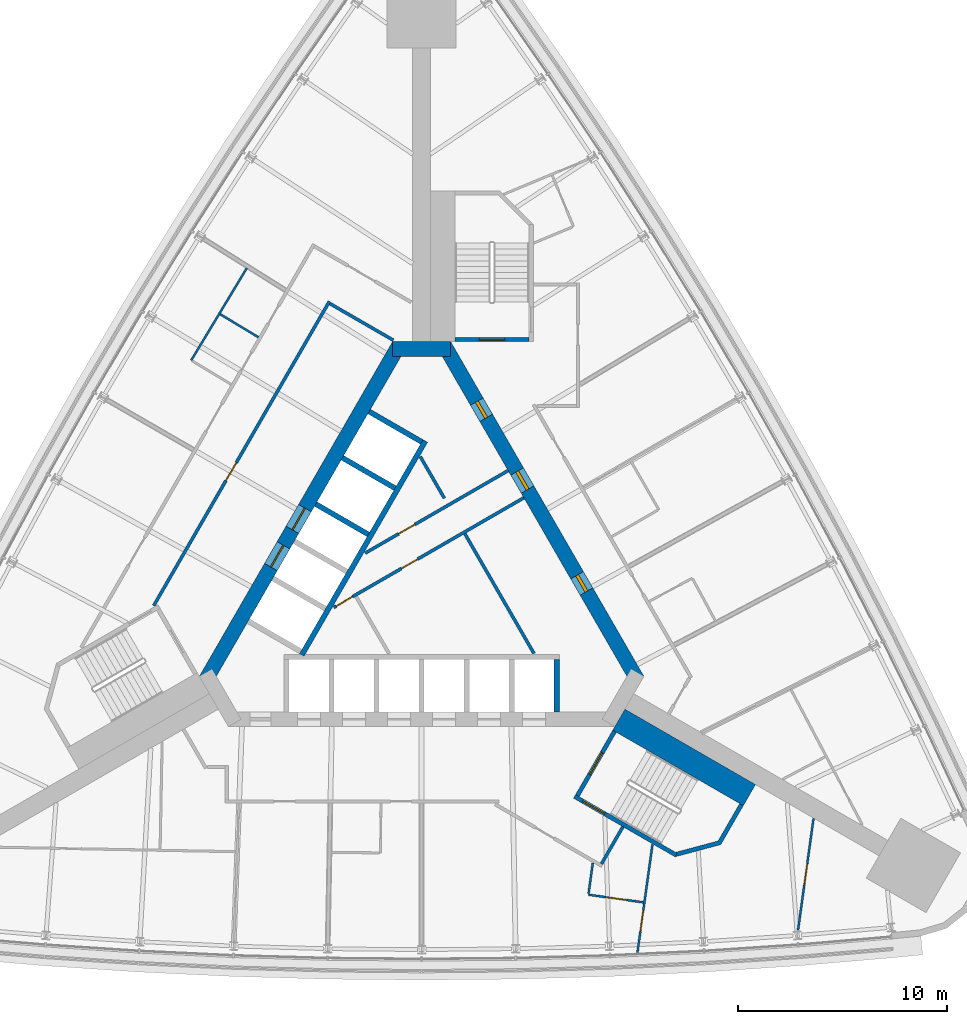
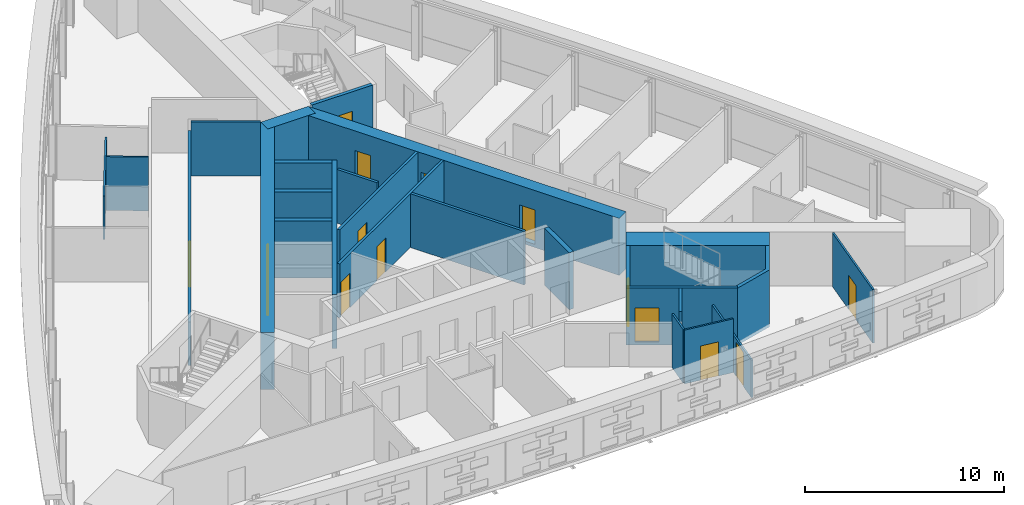
# One storey, part 11 of 15: 26 walls, 15 doors, 15 openings.
"""IFC4 building model written with IfcOpenShell, lengths in metres."""

from ifc_helpers import new_model, si_unit, direction, frame, frame_2d, origin, place, context, subcontext, project, spatial, polyline, rectangle, outline, extrude, material, layer, layer_set, type_object, element, fill, save


model = new_model("IFC4")

# Units and contexts
model_context = context("Model", 3, precision=1e-05, world=origin(), true_north=direction((0.0, 1.0)))
body_context = subcontext(model_context, "Body", "Model", "MODEL_VIEW")
ifc_project = project(units=[si_unit("LENGTHUNIT", "METRE"), si_unit("AREAUNIT", "SQUARE_METRE"), si_unit("VOLUMEUNIT", "CUBIC_METRE"), si_unit("PLANEANGLEUNIT", "RADIAN"), si_unit("MASSUNIT", "GRAM", prefix="KILO")], contexts=[model_context])

# Site, building, storey
site_placement = place(None, origin())
site = spatial("IfcSite", under=ifc_project, at=site_placement, CompositionType="ELEMENT")
building_placement = place(site_placement, origin())
building = spatial("IfcBuilding", under=site, at=building_placement, Name="Noor Cloister Tower", CompositionType="ELEMENT")
storey_placement = place(building_placement, frame((0.0, 0.0, 49.199951171875)))
storey = spatial("IfcBuildingStorey", under=building, at=storey_placement, Name="L12", CompositionType="ELEMENT", Elevation=49.199951171875)

# Wall, openings, doors
ifc_material_1 = material(Name="Concrete C30/37", Category="concrete")
ifc_layer_1 = layer(ifc_material_1, 0.14990234375)
ifc_layer_set_1 = layer_set([ifc_layer_1], Name="Core partition 150 C30/37")
wall_type_1 = type_object("IfcWallType", Name="Core partition 150 C30/37", PredefinedType="PARTITIONING", material=ifc_layer_set_1)
wall_1_placement = place(storey_placement, frame((-4.19775390625, -1.244384765625, 0.0), z_axis=(0.0, 0.0, 1.0), x_axis=(0.866020798945, 0.500007975732, 0.0)))
wall_1 = element("IfcWall", 1, at=wall_1_placement, inside=storey, type_object=wall_type_1, Name="Core room partition L12 1", PredefinedType="PARTITIONING", context=body_context, shape_type="SweptSolid", body=[
    extrude(rectangle(XDim=10.485595703125, YDim=0.14990234375, at=frame_2d((5.24267578125, 0.0))), origin(), (0.0, 0.0, 1.0), 3.300048828125),
])
opening_1_placement = place(wall_1_placement, frame((3.735595703125, 0.0, 0.0)))
opening_1 = element("IfcOpeningElement", 2, at=opening_1_placement, cuts=wall_1, Name="Opening L12-904", PredefinedType="OPENING", context=body_context, shape_type="SweptSolid", body=[
    extrude(rectangle(XDim=0.89990234375, YDim=2.10009765625, at=frame_2d((0.449951171875, 1.050048828125))), frame((0.0, 0.0849609375, 0.0), z_axis=(0.0, -1.0, 0.0), x_axis=(1.0, 0.0, 0.0)), (0.0, 0.0, 1.0), 0.169921875),
])
opening_2_placement = place(wall_1_placement, frame((0.143798828125, 0.0, 0.0)))
opening_2 = element("IfcOpeningElement", 3, at=opening_2_placement, cuts=wall_1, Name="Opening L12-906", PredefinedType="OPENING", context=body_context, shape_type="SweptSolid", body=[
    extrude(rectangle(XDim=0.89990234375, YDim=2.10009765625, at=frame_2d((0.449951171875, 1.050048828125))), frame((0.0, 0.0849609375, 0.0), z_axis=(0.0, -1.0, 0.0), x_axis=(1.0, 0.0, 0.0)), (0.0, 0.0, 1.0), 0.169921875),
])
ifc_material_2 = material(Name="Steel", Category="steel")
door_type_1 = type_object("IfcDoorType", Name="Core door 900 x 2100 FD120", OperationType="SINGLE_SWING_LEFT", PredefinedType="DOOR", material=ifc_material_2)
door_1_placement = place(opening_2_placement, origin())
door_1 = element("IfcDoor", 4, at=door_1_placement, inside=storey, type_object=door_type_1, Name="Core door 6 L12", OperationType="SINGLE_SWING_RIGHT", OverallHeight=2.10009765625, OverallWidth=0.89990234375, PredefinedType="DOOR", context=body_context, shape_type="SweptSolid", body=[
    extrude(rectangle(XDim=0.89990234375, YDim=2.10009765625, at=frame_2d((0.449951171875, 1.050048828125))), frame((0.0, 0.02490234375, 0.0), z_axis=(0.0, -1.0, 0.0), x_axis=(1.0, 0.0, 0.0)), (0.0, 0.0, 1.0), 0.050048828125),
])
fill(opening_2, door_1)
ifc_material_3 = material(Name="Steel", Category="steel")
door_type_2 = type_object("IfcDoorType", Name="Core door 900 x 2100 FD60", OperationType="SINGLE_SWING_LEFT", PredefinedType="DOOR", material=ifc_material_3)
door_2_placement = place(opening_1_placement, origin())
door_2 = element("IfcDoor", 5, at=door_2_placement, inside=storey, type_object=door_type_2, Name="Core door 4 L12", OperationType="SINGLE_SWING_RIGHT", OverallHeight=2.10009765625, OverallWidth=0.89990234375, PredefinedType="DOOR", context=body_context, shape_type="SweptSolid", body=[
    extrude(rectangle(XDim=0.89990234375, YDim=2.10009765625, at=frame_2d((0.449951171875, 1.050048828125))), frame((0.0, 0.02490234375, 0.0), z_axis=(0.0, -1.0, 0.0), x_axis=(1.0, 0.0, 0.0)), (0.0, 0.0, 1.0), 0.050048828125),
])
fill(opening_1, door_2)

# Wall
wall_2_placement = place(storey_placement, frame((5.36669921875, -3.439208984375, 0.0), z_axis=(0.0, 0.0, 1.0), x_axis=(-0.499981499682, 0.866036084685, 0.0)))
element("IfcWall", 6, at=wall_2_placement, inside=storey, type_object=wall_type_1, Name="Core room partition L12 2", PredefinedType="PARTITIONING", context=body_context, shape_type="SweptSolid", body=[
    extrude(rectangle(XDim=6.608154296875, YDim=0.14990234375, at=frame_2d((3.30419921875, 0.0))), origin(), (0.0, 0.0, 1.0), 3.300048828125),
])

# Wall, opening, door
wall_3_placement = place(storey_placement, frame((-2.69775390625, 1.353759765625, 0.0), z_axis=(0.0, 0.0, 1.0), x_axis=(0.866021157486, 0.500007354732, 0.0)))
wall_3 = element("IfcWall", 7, at=wall_3_placement, inside=storey, type_object=wall_type_1, Name="Core room partition L12 4", PredefinedType="PARTITIONING", context=body_context, shape_type="SweptSolid", body=[
    extrude(rectangle(XDim=7.8876953125, YDim=0.14990234375, at=frame_2d((3.94384765625, 0.0))), origin(), (0.0, 0.0, 1.0), 3.300048828125),
])
opening_3_placement = place(wall_3_placement, frame((1.8447265625, 0.0, 0.0)))
opening_3 = element("IfcOpeningElement", 8, at=opening_3_placement, cuts=wall_3, Name="Opening L12-905", PredefinedType="OPENING", context=body_context, shape_type="SweptSolid", body=[
    extrude(rectangle(XDim=0.89990234375, YDim=2.10009765625, at=frame_2d((0.449951171875, 1.050048828125))), frame((0.0, 0.0849609375, 0.0), z_axis=(0.0, -1.0, 0.0), x_axis=(1.0, 0.0, 0.0)), (0.0, 0.0, 1.0), 0.169921875),
])
door_3_placement = place(opening_3_placement, origin())
door_3 = element("IfcDoor", 9, at=door_3_placement, inside=storey, type_object=door_type_1, Name="Core door 5 L12", OperationType="SINGLE_SWING_LEFT", OverallHeight=2.10009765625, OverallWidth=0.89990234375, PredefinedType="DOOR", context=body_context, shape_type="SweptSolid", body=[
    extrude(rectangle(XDim=0.89990234375, YDim=2.10009765625, at=frame_2d((0.449951171875, 1.050048828125))), frame((0.0, 0.02490234375, 0.0), z_axis=(0.0, -1.0, 0.0), x_axis=(1.0, 0.0, 0.0)), (0.0, 0.0, 1.0), 0.050048828125),
])
fill(opening_3, door_3)

# Wall
wall_4_placement = place(storey_placement, frame((1.087890625, 3.972412109375, 0.0), z_axis=(0.0, 0.0, 1.0), x_axis=(-0.500116913307, 0.865957893332, 0.0)))
element("IfcWall", 10, at=wall_4_placement, inside=storey, type_object=wall_type_1, Name="Core room partition L12 5", PredefinedType="PARTITIONING", context=body_context, shape_type="SweptSolid", body=[
    extrude(rectangle(XDim=2.3037109375, YDim=0.14990234375, at=frame_2d((1.15185546875, 0.0))), origin(), (0.0, 0.0, 1.0), 3.300048828125),
])

# Wall, openings, doors
ifc_material_4 = material(Name="Concrete C80/95", Category="concrete")
ifc_layer_2 = layer(ifc_material_4, 0.699951171875)
ifc_layer_set_2 = layer_set([ifc_layer_2], Name="Core wall 700 C80/95")
wall_type_2 = type_object("IfcWallType", Name="Core wall 700 C80/95", PredefinedType="SHEAR", material=ifc_layer_set_2)
wall_5_placement = place(storey_placement, frame((10.311279296875, -4.703125, -0.199951171875), z_axis=(0.0, 0.0, 1.0), x_axis=(-0.500001446645, 0.866024568562, 0.0)))
wall_5 = element("IfcWall", 11, at=wall_5_placement, inside=storey, type_object=wall_type_2, Name="Core wall L12 3", PredefinedType="SHEAR", context=body_context, shape_type="SweptSolid", body=[
    extrude(rectangle(XDim=18.45751953125, YDim=0.699951171875, at=frame_2d((9.228759765625, 0.0))), origin(), (0.0, 0.0, 1.0), 3.5),
])
opening_4_placement = place(wall_5_placement, frame((10.5, 0.0, 0.199951171875)))
opening_4 = element("IfcOpeningElement", 12, at=opening_4_placement, cuts=wall_5, Name="Opening L12-901", PredefinedType="OPENING", context=body_context, shape_type="SweptSolid", body=[
    extrude(rectangle(XDim=1.0, YDim=2.10009765625, at=frame_2d((0.5, 1.050048828125))), frame((0.0, 0.35986328125, 0.0), z_axis=(0.0, -1.0, 0.0), x_axis=(1.0, 0.0, 0.0)), (0.0, 0.0, 1.0), 0.719970703125),
])
opening_5_placement = place(wall_5_placement, frame((4.876953125, 0.0, 0.199951171875)))
opening_5 = element("IfcOpeningElement", 13, at=opening_5_placement, cuts=wall_5, Name="Opening L12-902", PredefinedType="OPENING", context=body_context, shape_type="SweptSolid", body=[
    extrude(rectangle(XDim=0.89990234375, YDim=2.10009765625, at=frame_2d((0.449951171875, 1.050048828125))), frame((0.0, 0.35986328125, 0.0), z_axis=(0.0, -1.0, 0.0), x_axis=(1.0, 0.0, 0.0)), (0.0, 0.0, 1.0), 0.719970703125),
])
opening_6_placement = place(wall_5_placement, frame((14.45166015625, 0.0, 0.199951171875)))
opening_6 = element("IfcOpeningElement", 14, at=opening_6_placement, cuts=wall_5, Name="Opening L12-903", PredefinedType="OPENING", context=body_context, shape_type="SweptSolid", body=[
    extrude(rectangle(XDim=0.89990234375, YDim=2.10009765625, at=frame_2d((0.449951171875, 1.050048828125))), frame((0.0, 0.35986328125, 0.0), z_axis=(0.0, -1.0, 0.0), x_axis=(1.0, 0.0, 0.0)), (0.0, 0.0, 1.0), 0.719970703125),
])
ifc_material_5 = material(Name="Steel", Category="steel")
door_type_3 = type_object("IfcDoorType", Name="Core door 1000 x 2100 FD120", OperationType="SINGLE_SWING_LEFT", PredefinedType="DOOR", material=ifc_material_5)
door_4_placement = place(opening_4_placement, origin())
door_4 = element("IfcDoor", 15, at=door_4_placement, inside=storey, type_object=door_type_3, Name="Core door 1 L12", OperationType="SINGLE_SWING_LEFT", OverallHeight=2.10009765625, OverallWidth=1.0, PredefinedType="DOOR", context=body_context, shape_type="SweptSolid", body=[
    extrude(rectangle(XDim=1.0, YDim=2.10009765625, at=frame_2d((0.5, 1.050048828125))), frame((0.0, 0.074951171875, 0.0), z_axis=(0.0, -1.0, 0.0), x_axis=(1.0, 0.0, 0.0)), (0.0, 0.0, 1.0), 0.14990234375),
])
fill(opening_4, door_4)
door_5_placement = place(opening_5_placement, origin())
door_5 = element("IfcDoor", 16, at=door_5_placement, inside=storey, type_object=door_type_1, Name="Core door 2 L12", OperationType="SINGLE_SWING_RIGHT", OverallHeight=2.10009765625, OverallWidth=0.89990234375, PredefinedType="DOOR", context=body_context, shape_type="SweptSolid", body=[
    extrude(rectangle(XDim=0.89990234375, YDim=2.10009765625, at=frame_2d((0.449951171875, 1.050048828125))), frame((0.0, 0.074951171875, 0.0), z_axis=(0.0, -1.0, 0.0), x_axis=(1.0, 0.0, 0.0)), (0.0, 0.0, 1.0), 0.14990234375),
])
fill(opening_5, door_5)
door_6_placement = place(opening_6_placement, origin())
door_6 = element("IfcDoor", 17, at=door_6_placement, inside=storey, type_object=door_type_1, Name="Core door 3 L12", OperationType="SINGLE_SWING_LEFT", OverallHeight=2.10009765625, OverallWidth=0.89990234375, PredefinedType="DOOR", context=body_context, shape_type="SweptSolid", body=[
    extrude(rectangle(XDim=0.89990234375, YDim=2.10009765625, at=frame_2d((0.449951171875, 1.050048828125))), frame((0.0, 0.074951171875, 0.0), z_axis=(0.0, -1.0, 0.0), x_axis=(1.0, 0.0, 0.0)), (0.0, 0.0, 1.0), 0.14990234375),
])
fill(opening_6, door_6)

# Wall
wall_6_placement = place(storey_placement, frame((1.3857421875, 11.1064453125, -0.199951171875), z_axis=(0.0, 0.0, 1.0), x_axis=(-1.0, 0.0, 0.0)))
element("IfcWall", 18, at=wall_6_placement, inside=storey, type_object=wall_type_2, Name="Core wall L12 4", PredefinedType="SHEAR", context=body_context, shape_type="SweptSolid", body=[
    extrude(rectangle(XDim=2.771484375, YDim=0.699951171875, at=frame_2d((1.3857421875, 0.0))), origin(), (0.0, 0.0, 1.0), 3.5),
])

# Wall, openings, doors
wall_7_placement = place(storey_placement, frame((-1.08251953125, 11.281494140625, -0.199951171875), z_axis=(0.0, 0.0, 1.0), x_axis=(-0.500001446645, -0.866024568562, 0.0)))
wall_7 = element("IfcWall", 19, at=wall_7_placement, inside=storey, type_object=wall_type_2, Name="Core wall L12 5", PredefinedType="SHEAR", context=body_context, shape_type="SweptSolid", body=[
    extrude(rectangle(XDim=18.45751953125, YDim=0.699951171875, at=frame_2d((9.228759765625, 0.0))), origin(), (0.0, 0.0, 1.0), 3.5),
])
opening_7_placement = place(wall_7_placement, frame((8.978759765625, 0.0, 0.199951171875)))
opening_7 = element("IfcOpeningElement", 20, at=opening_7_placement, cuts=wall_7, Name="Opening L12-FF1", PredefinedType="OPENING", context=body_context, shape_type="SweptSolid", body=[
    extrude(rectangle(XDim=1.199951171875, YDim=2.10009765625, at=frame_2d((0.60009765625, 1.050048828125))), frame((0.0, 0.35986328125, 0.0), z_axis=(0.0, -1.0, 0.0), x_axis=(1.0, 0.0, 0.0)), (0.0, 0.0, 1.0), 0.719970703125),
])
opening_8_placement = place(wall_7_placement, frame((11.02880859375, 0.0, 0.199951171875)))
opening_8 = element("IfcOpeningElement", 21, at=opening_8_placement, cuts=wall_7, Name="Opening L12-FF2", PredefinedType="OPENING", context=body_context, shape_type="SweptSolid", body=[
    extrude(rectangle(XDim=1.199951171875, YDim=2.10009765625, at=frame_2d((0.60009765625, 1.050048828125))), frame((0.0, 0.35986328125, 0.0), z_axis=(0.0, -1.0, 0.0), x_axis=(1.0, 0.0, 0.0)), (0.0, 0.0, 1.0), 0.719970703125),
])
ifc_material_6 = material(Name="Stainless steel", Category="steel")
door_type_4 = type_object("IfcDoorType", Name="Lift landing door 1200 x 2100", OperationType="DOUBLE_DOOR_SLIDING", PredefinedType="DOOR", material=ifc_material_6)
door_7_placement = place(opening_7_placement, origin())
door_7 = element("IfcDoor", 22, at=door_7_placement, inside=storey, type_object=door_type_4, Name="Landing door FF1 L12", OperationType="DOUBLE_DOOR_SLIDING", OverallHeight=2.10009765625, OverallWidth=1.199951171875, PredefinedType="DOOR", context=body_context, shape_type="SweptSolid", body=[
    extrude(rectangle(XDim=1.199951171875, YDim=2.10009765625, at=frame_2d((0.60009765625, 1.050048828125))), frame((0.0, 0.02490234375, 0.0), z_axis=(0.0, -1.0, 0.0), x_axis=(1.0, 0.0, 0.0)), (0.0, 0.0, 1.0), 0.050048828125),
])
fill(opening_7, door_7)
door_8_placement = place(opening_8_placement, origin())
door_8 = element("IfcDoor", 23, at=door_8_placement, inside=storey, type_object=door_type_4, Name="Landing door FF2 L12", OperationType="DOUBLE_DOOR_SLIDING", OverallHeight=2.10009765625, OverallWidth=1.199951171875, PredefinedType="DOOR", context=body_context, shape_type="SweptSolid", body=[
    extrude(rectangle(XDim=1.199951171875, YDim=2.10009765625, at=frame_2d((0.60009765625, 1.050048828125))), frame((0.0, 0.02490234375, 0.0), z_axis=(0.0, -1.0, 0.0), x_axis=(1.0, 0.0, 0.0)), (0.0, 0.0, 1.0), 0.050048828125),
])
fill(opening_8, door_8)

# Wall, opening, door
ifc_material_7 = material(Name="Fire-rated gypsum board partition on steel studs, 150 mm", Category="steel")
ifc_layer_3 = layer(ifc_material_7, 0.14990234375)
ifc_layer_set_3 = layer_set([ifc_layer_3], Name="Fire lobby wall 150")
wall_type_3 = type_object("IfcWallType", Name="Fire lobby wall 150", PredefinedType="PARTITIONING", material=ifc_layer_set_3)
wall_8_placement = place(storey_placement, frame((-4.40673828125, 13.373779296875, 0.0), z_axis=(0.0, 0.0, 1.0), x_axis=(-0.499997181693, -0.866027030928, 0.0)))
wall_8 = element("IfcWall", 24, at=wall_8_placement, inside=storey, type_object=wall_type_3, Name="Fire lobby wall 150 L12 002", PredefinedType="PARTITIONING", context=body_context, shape_type="SweptSolid", body=[
    extrude(rectangle(XDim=16.76953125, YDim=0.14990234375, at=frame_2d((8.384765625, 0.0))), origin(), (0.0, 0.0, 1.0), 2.677978515625),
])
opening_9_placement = place(wall_8_placement, frame((8.878662109375, 0.0, 0.0)))
opening_9 = element("IfcOpeningElement", 25, at=opening_9_placement, cuts=wall_8, Name="Opening L12-005", PredefinedType="OPENING", context=body_context, shape_type="SweptSolid", body=[
    extrude(rectangle(XDim=1.0, YDim=2.10009765625, at=frame_2d((0.5, 1.050048828125))), frame((0.0, 0.0849609375, 0.0), z_axis=(0.0, -1.0, 0.0), x_axis=(1.0, 0.0, 0.0)), (0.0, 0.0, 1.0), 0.169921875),
])
ifc_material_8 = material(Name="Timber door leaf with steel frame", Category="steel")
door_type_5 = type_object("IfcDoorType", Name="Fire lobby door 1000", OperationType="NOTDEFINED", PredefinedType="DOOR", material=ifc_material_8)
door_9_placement = place(opening_9_placement, origin())
door_9 = element("IfcDoor", 26, at=door_9_placement, inside=storey, type_object=door_type_5, Name="Fire lobby door 1000 L12-005", OperationType="SINGLE_SWING_RIGHT", OverallHeight=2.10009765625, OverallWidth=1.0, PredefinedType="DOOR", context=body_context, shape_type="SweptSolid", body=[
    extrude(rectangle(XDim=1.0, YDim=2.10009765625, at=frame_2d((0.5, 1.050048828125))), frame((0.0, 0.02490234375, 0.0), z_axis=(0.0, -1.0, 0.0), x_axis=(1.0, 0.0, 0.0)), (0.0, 0.0, 1.0), 0.050048828125),
])
fill(opening_9, door_9)

# Walls
wall_9_placement = place(storey_placement, frame((-4.379150390625, 13.271484375, 0.0), z_axis=(0.0, 0.0, 1.0), x_axis=(0.866019471182, -0.500010275428, 0.0)))
element("IfcWall", 27, at=wall_9_placement, inside=storey, type_object=wall_type_3, Name="Fire lobby wall 150 L12 008", PredefinedType="PARTITIONING", context=body_context, shape_type="SweptSolid", body=[
    extrude(rectangle(XDim=3.5, YDim=0.14990234375, at=frame_2d((1.75, 0.0))), origin(), (0.0, 0.0, 1.0), 3.300048828125),
])
ifc_material_9 = material(Name="Gypsum board partition on steel studs, 150 mm", Category="steel")
ifc_layer_4 = layer(ifc_material_9, 0.14990234375)
ifc_layer_set_4 = layer_set([ifc_layer_4], Name="Flat wall 150")
wall_type_4 = type_object("IfcWallType", Name="Flat wall 150", PredefinedType="PARTITIONING", material=ifc_layer_set_4)
wall_10_placement = place(storey_placement, frame((8.588623046875, -13.48681640625, 0.0), z_axis=(0.0, 0.0, 1.0), x_axis=(0.499956128963, 0.866050731258, 0.0)))
element("IfcWall", 28, at=wall_10_placement, inside=storey, type_object=wall_type_4, Name="Flat wall 150 L12 010", PredefinedType="PARTITIONING", context=body_context, shape_type="SweptSolid", body=[
    extrude(rectangle(XDim=2.050048828125, YDim=0.14990234375, at=frame_2d((1.02490234375, 0.0))), origin(), (0.0, 0.0, 1.0), 3.300048828125),
])

# Wall, opening, door
ifc_material_10 = material(Name="Gypsum board partition on steel studs, 100 mm", Category="steel")
ifc_layer_5 = layer(ifc_material_10, 0.10009765625)
ifc_layer_set_5 = layer_set([ifc_layer_5], Name="Partition 100")
wall_type_5 = type_object("IfcWallType", Name="Partition 100", PredefinedType="PARTITIONING", material=ifc_layer_set_5)
wall_11_placement = place(storey_placement, frame((18.716552734375, -11.318603515625, 0.0), z_axis=(0.0, 0.0, 1.0), x_axis=(-0.13752632962, -0.990498111387, 0.0)))
wall_11 = element("IfcWall", 29, at=wall_11_placement, inside=storey, type_object=wall_type_5, Name="Partition 100 L12 028", PredefinedType="PARTITIONING", context=body_context, shape_type="SweptSolid", body=[
    extrude(rectangle(XDim=5.380615234375, YDim=0.10009765625, at=frame_2d((2.6904296875, 0.0))), origin(), (0.0, 0.0, 1.0), 3.300048828125),
])
opening_10_placement = place(wall_11_placement, frame((2.180419921875, 0.0, 0.0)))
opening_10 = element("IfcOpeningElement", 30, at=opening_10_placement, cuts=wall_11, Name="Opening L12-022", PredefinedType="OPENING", context=body_context, shape_type="SweptSolid", body=[
    extrude(rectangle(XDim=1.0, YDim=2.10009765625, at=frame_2d((0.5, 1.050048828125))), frame((0.0, 0.06005859375, 0.0), z_axis=(0.0, -1.0, 0.0), x_axis=(1.0, 0.0, 0.0)), (0.0, 0.0, 1.0), 0.1201171875),
])
ifc_material_11 = material(Name="Timber door leaf with steel frame", Category="steel")
door_type_6 = type_object("IfcDoorType", Name="Interior door 1000", OperationType="NOTDEFINED", PredefinedType="DOOR", material=ifc_material_11)
door_10_placement = place(opening_10_placement, origin())
door_10 = element("IfcDoor", 31, at=door_10_placement, inside=storey, type_object=door_type_6, Name="Interior door 1000 L12-022", OperationType="SINGLE_SWING_LEFT", OverallHeight=2.10009765625, OverallWidth=1.0, PredefinedType="DOOR", context=body_context, shape_type="SweptSolid", body=[
    extrude(rectangle(XDim=1.0, YDim=2.10009765625, at=frame_2d((0.5, 1.050048828125))), frame((0.0, 0.02490234375, 0.0), z_axis=(0.0, -1.0, 0.0), x_axis=(1.0, 0.0, 0.0)), (0.0, 0.0, 1.0), 0.050048828125),
])
fill(opening_10, door_10)

# Wall
wall_12_placement = place(storey_placement, frame((-8.343017578125, 14.976806640625, 0.0), z_axis=(0.0, 0.0, 1.0), x_axis=(-0.516292416674, -0.856412365911, 0.0)))
element("IfcWall", 32, at=wall_12_placement, inside=storey, type_object=wall_type_5, Name="Partition 100 L12 030", PredefinedType="PARTITIONING", context=body_context, shape_type="SweptSolid", body=[
    extrude(rectangle(XDim=5.15234375, YDim=0.10009765625, at=frame_2d((2.576171875, 0.0))), origin(), (0.0, 0.0, 1.0), 2.677978515625),
])

# Wall, opening, door
wall_13_placement = place(storey_placement, frame((11.025634765625, -12.54833984375, 0.0), z_axis=(0.0, 0.0, 1.0), x_axis=(-0.137526474089, -0.990498091328, 0.0)))
wall_13 = element("IfcWall", 33, at=wall_13_placement, inside=storey, type_object=wall_type_5, Name="Partition 100 L12 031", PredefinedType="PARTITIONING", context=body_context, shape_type="SweptSolid", body=[
    extrude(rectangle(XDim=5.240478515625, YDim=0.10009765625, at=frame_2d((2.6201171875, 0.0))), origin(), (0.0, 0.0, 1.0), 2.297119140625),
])
opening_11_placement = place(wall_13_placement, frame((3.1923828125, 0.0, 0.0)))
opening_11 = element("IfcOpeningElement", 34, at=opening_11_placement, cuts=wall_13, Name="Opening L12-023", PredefinedType="OPENING", context=body_context, shape_type="SweptSolid", body=[
    extrude(rectangle(XDim=1.0, YDim=2.10009765625, at=frame_2d((0.5, 1.050048828125))), frame((0.0, 0.06005859375, 0.0), z_axis=(0.0, -1.0, 0.0), x_axis=(1.0, 0.0, 0.0)), (0.0, 0.0, 1.0), 0.1201171875),
])
door_11_placement = place(opening_11_placement, origin())
door_11 = element("IfcDoor", 35, at=door_11_placement, inside=storey, type_object=door_type_6, Name="Interior door 1000 L12-023", OperationType="SINGLE_SWING_RIGHT", OverallHeight=2.10009765625, OverallWidth=1.0, PredefinedType="DOOR", context=body_context, shape_type="SweptSolid", body=[
    extrude(rectangle(XDim=1.0, YDim=2.10009765625, at=frame_2d((0.5, 1.050048828125))), frame((0.0, 0.02490234375, 0.0), z_axis=(0.0, -1.0, 0.0), x_axis=(1.0, 0.0, 0.0)), (0.0, 0.0, 1.0), 0.050048828125),
])
fill(opening_11, door_11)

wall_14_placement = place(storey_placement, frame((7.965087890625, -14.95849609375, 0.0), z_axis=(0.0, 0.0, 1.0), x_axis=(0.990494714026, -0.137550796023, 0.0)))
wall_14 = element("IfcWall", 36, at=wall_14_placement, inside=storey, type_object=wall_type_5, Name="Partition 100 L12 034", PredefinedType="PARTITIONING", context=body_context, shape_type="SweptSolid", body=[
    extrude(rectangle(XDim=2.64990234375, YDim=0.10009765625, at=frame_2d((1.324951171875, 0.0))), origin(), (0.0, 0.0, 1.0), 3.300048828125),
])
opening_12_placement = place(wall_14_placement, frame((0.85009765625, 0.0, 0.0)))
opening_12 = element("IfcOpeningElement", 37, at=opening_12_placement, cuts=wall_14, Name="Opening L12-026", PredefinedType="OPENING", context=body_context, shape_type="SweptSolid", body=[
    extrude(rectangle(XDim=1.0, YDim=2.10009765625, at=frame_2d((0.5, 1.050048828125))), frame((0.0, 0.06005859375, 0.0), z_axis=(0.0, -1.0, 0.0), x_axis=(1.0, 0.0, 0.0)), (0.0, 0.0, 1.0), 0.1201171875),
])
door_12_placement = place(opening_12_placement, origin())
door_12 = element("IfcDoor", 38, at=door_12_placement, inside=storey, type_object=door_type_6, Name="Interior door 1000 L12-026", OperationType="SINGLE_SWING_RIGHT", OverallHeight=2.10009765625, OverallWidth=1.0, PredefinedType="DOOR", context=body_context, shape_type="SweptSolid", body=[
    extrude(rectangle(XDim=1.0, YDim=2.10009765625, at=frame_2d((0.5, 1.050048828125))), frame((0.0, 0.02490234375, 0.0), z_axis=(0.0, -1.0, 0.0), x_axis=(1.0, 0.0, 0.0)), (0.0, 0.0, 1.0), 0.050048828125),
])
fill(opening_12, door_12)

# Walls
wall_15_placement = place(storey_placement, frame((-9.617919921875, 12.764892578125, 0.0), z_axis=(0.0, 0.0, 1.0), x_axis=(0.856420636577, -0.51627869726, 0.0)))
element("IfcWall", 39, at=wall_15_placement, inside=storey, type_object=wall_type_5, Name="Partition 100 L12 043", PredefinedType="PARTITIONING", context=body_context, shape_type="SweptSolid", body=[
    extrude(rectangle(XDim=2.13330078125, YDim=0.10009765625, at=frame_2d((1.066650390625, 0.0))), origin(), (0.0, 0.0, 1.0), 3.300048828125),
])
wall_16_placement = place(storey_placement, frame((8.175537109375, -13.443115234375, 0.0), z_axis=(0.0, 0.0, 1.0), x_axis=(-0.137586354535, -0.990489775336, 0.0)))
element("IfcWall", 40, at=wall_16_placement, inside=storey, type_object=wall_type_5, Name="Partition 100 L12 045", PredefinedType="PARTITIONING", context=body_context, shape_type="SweptSolid", body=[
    extrude(rectangle(XDim=1.47998046875, YDim=0.10009765625, at=frame_2d((0.739990234375, 0.0))), origin(), (0.0, 0.0, 1.0), 3.300048828125),
])
ifc_material_12 = material(Name="Concrete C80/95", Category="concrete")
ifc_layer_6 = layer(ifc_material_12, 0.25)
ifc_layer_set_6 = layer_set([ifc_layer_6], Name="Shaft wall 250 C80/95")
wall_type_6 = type_object("IfcWallType", Name="Shaft wall 250 C80/95", PredefinedType="PARTITIONING", material=ifc_layer_set_6)
wall_17_placement = place(storey_placement, frame((6.449951171875, -6.228271484375, -0.199951171875), z_axis=(0.0, 0.0, 1.0), x_axis=(0.0, 1.0, 0.0)))
element("IfcWall", 41, at=wall_17_placement, inside=storey, type_object=wall_type_6, Name="Lift shaft wall L12 S 7", PredefinedType="PARTITIONING", context=body_context, shape_type="SweptSolid", body=[
    extrude(rectangle(XDim=2.5, YDim=0.25, at=frame_2d((1.25, 0.0))), origin(), (0.0, 0.0, 1.0), 3.5),
])
wall_18_placement = place(storey_placement, frame((-2.50634765625, 8.115478515625, -0.199951171875), z_axis=(0.0, 0.0, 1.0), x_axis=(0.865996321171, -0.50005036918, 0.0)))
element("IfcWall", 42, at=wall_18_placement, inside=storey, type_object=wall_type_6, Name="Lift shaft wall L12 NW 1", PredefinedType="PARTITIONING", context=body_context, shape_type="SweptSolid", body=[
    extrude(rectangle(XDim=2.900146484375, YDim=0.25, at=frame_2d((1.4501953125, 0.0))), origin(), (0.0, 0.0, 1.0), 3.5),
])
for number, where, z_axis, x_axis, name in (
    (43, (-3.78125, 5.906982421875, -0.199951171875), (0.0, 0.0, 1.0), (0.866032775405, -0.499987231761, 0.0), "Lift shaft wall L12 NW 2"),
    (44, (-5.056396484375, 3.69873046875, -0.199951171875), (0.0, 0.0, 1.0), (0.866032775405, -0.499987231761, 0.0), "Lift shaft wall L12 NW 3"),
):
    element("IfcWall", number, at=place(storey_placement, frame(where, z_axis=z_axis, x_axis=x_axis)), inside=storey, type_object=wall_type_6, Name=name, PredefinedType="PARTITIONING", context=body_context, shape_type="SweptSolid", body=[
        extrude(rectangle(XDim=2.89990234375, YDim=0.25, at=frame_2d((1.449951171875, 0.0))), origin(), (0.0, 0.0, 1.0), 3.5),
    ])
wall_19_placement = place(storey_placement, frame((0.176025390625, 6.711181640625, 0.0), z_axis=(0.0, 0.0, 1.0), x_axis=(-0.500004227369, -0.866022963098, 0.0)))
element("IfcWall", 45, at=wall_19_placement, inside=storey, type_object=wall_type_6, Name="Lift shaft back wall L12 NW", PredefinedType="PARTITIONING", context=body_context, shape_type="SweptSolid", body=[
    extrude(rectangle(XDim=11.80029296875, YDim=0.25, at=frame_2d((5.900146484375, 0.0))), origin(), (0.0, 0.0, 1.0), 3.300048828125),
])
ifc_material_13 = material(Name="Concrete C80/95", Category="concrete")
ifc_layer_7 = layer(ifc_material_13, 1.160888671875)
ifc_layer_set_7 = layer_set([ifc_layer_7], Name="Stair enclosure wall 1161 C80/95")
wall_type_7 = type_object("IfcWallType", Name="Stair enclosure wall 1161 C80/95", PredefinedType="SHEAR", material=ifc_layer_set_7)
wall_20_placement = place(storey_placement, frame((9.4189453125, -6.598876953125, -0.199951171875), z_axis=(0.0, 0.0, 1.0), x_axis=(0.866033125095, -0.499986626058, 0.0)))
element("IfcWall", 46, at=wall_20_placement, inside=storey, type_object=wall_type_7, Name="Stair enclosure wall ST3 L12 riser side", PredefinedType="SHEAR", context=body_context, shape_type="SweptSolid", body=[
    extrude(rectangle(XDim=7.199951171875, YDim=1.16064453125, at=frame_2d((3.60009765625, 0.0))), origin(), (0.0, 0.0, 1.0), 3.5),
])

# Wall, opening, door
ifc_material_14 = material(Name="Concrete C80/95", Category="concrete")
ifc_layer_8 = layer(ifc_material_14, 0.199951171875)
ifc_layer_set_8 = layer_set([ifc_layer_8], Name="Stair enclosure wall 200 C80/95")
wall_type_8 = type_object("IfcWallType", Name="Stair enclosure wall 200 C80/95", PredefinedType="SHEAR", material=ifc_layer_set_8)
wall_21_placement = place(storey_placement, frame((5.135498046875, 11.556396484375, -0.199951171875), z_axis=(0.0, 0.0, 1.0), x_axis=(-1.0, 0.0, 0.0)))
wall_21 = element("IfcWall", 47, at=wall_21_placement, inside=storey, type_object=wall_type_8, Name="Stair enclosure wall ST1 L12 near end", PredefinedType="SHEAR", context=body_context, shape_type="SweptSolid", body=[
    extrude(rectangle(XDim=3.5498046875, YDim=0.199951171875, at=frame_2d((1.77490234375, 0.0))), origin(), (0.0, 0.0, 1.0), 3.5),
])
opening_13_placement = place(wall_21_placement, frame((1.175048828125, 0.0, 0.199951171875)))
opening_13 = element("IfcOpeningElement", 48, at=opening_13_placement, cuts=wall_21, Name="Opening L12-ST1L", PredefinedType="OPENING", context=body_context, shape_type="SweptSolid", body=[
    extrude(rectangle(XDim=1.199951171875, YDim=2.10009765625, at=frame_2d((0.60009765625, 1.050048828125))), frame((0.0, 0.10986328125, 0.0), z_axis=(0.0, -1.0, 0.0), x_axis=(1.0, 0.0, 0.0)), (0.0, 0.0, 1.0), 0.219970703125),
])
ifc_material_15 = material(Name="Steel", Category="steel")
door_type_7 = type_object("IfcDoorType", Name="Stair door 1200 x 2100 FD120", OperationType="SINGLE_SWING_LEFT", PredefinedType="DOOR", material=ifc_material_15)
door_13_placement = place(opening_13_placement, origin())
door_13 = element("IfcDoor", 49, at=door_13_placement, inside=storey, type_object=door_type_7, Name="Stair door ST1 L12", OperationType="SINGLE_SWING_RIGHT", OverallHeight=2.10009765625, OverallWidth=1.199951171875, PredefinedType="DOOR", context=body_context, shape_type="SweptSolid", body=[
    extrude(rectangle(XDim=1.199951171875, YDim=2.10009765625, at=frame_2d((0.60009765625, 1.050048828125))), frame((0.0, 0.02490234375, 0.0), z_axis=(0.0, -1.0, 0.0), x_axis=(1.0, 0.0, 0.0)), (0.0, 0.0, 1.0), 0.050048828125),
])
fill(opening_13, door_13)

wall_22_placement = place(storey_placement, frame((7.440185546875, -10.225830078125, -0.199951171875), z_axis=(0.0, 0.0, 1.0), x_axis=(0.500022077904, 0.866012656725, 0.0)))
wall_22 = element("IfcWall", 50, at=wall_22_placement, inside=storey, type_object=wall_type_8, Name="Stair enclosure wall ST3 L12 near end", PredefinedType="SHEAR", context=body_context, shape_type="SweptSolid", body=[
    extrude(rectangle(XDim=3.550048828125, YDim=0.199951171875, at=frame_2d((1.77490234375, 0.0))), origin(), (0.0, 0.0, 1.0), 3.5),
])
opening_14_placement = place(wall_22_placement, frame((1.175048828125, 0.0, 0.199951171875)))
opening_14 = element("IfcOpeningElement", 51, at=opening_14_placement, cuts=wall_22, Name="Opening L12-ST3L", PredefinedType="OPENING", context=body_context, shape_type="SweptSolid", body=[
    extrude(rectangle(XDim=1.199951171875, YDim=2.10009765625, at=frame_2d((0.60009765625, 1.050048828125))), frame((0.0, 0.10986328125, 0.0), z_axis=(0.0, -1.0, 0.0), x_axis=(1.0, 0.0, 0.0)), (0.0, 0.0, 1.0), 0.219970703125),
])
door_14_placement = place(opening_14_placement, origin())
door_14 = element("IfcDoor", 52, at=door_14_placement, inside=storey, type_object=door_type_7, Name="Stair door ST3 L12", OperationType="SINGLE_SWING_RIGHT", OverallHeight=2.10009765625, OverallWidth=1.199951171875, PredefinedType="DOOR", context=body_context, shape_type="SweptSolid", body=[
    extrude(rectangle(XDim=1.199951171875, YDim=2.10009765625, at=frame_2d((0.60009765625, 1.050048828125))), frame((0.0, 0.02490234375, 0.0), z_axis=(0.0, -1.0, 0.0), x_axis=(1.0, 0.0, 0.0)), (0.0, 0.0, 1.0), 0.050048828125),
])
fill(opening_14, door_14)

wall_23_placement = place(storey_placement, frame((7.3037109375, -10.262451171875, -0.199951171875), z_axis=(0.0, 0.0, 1.0), x_axis=(0.866026594901, -0.49999793692, 0.0)))
wall_23 = element("IfcWall", 53, at=wall_23_placement, inside=storey, type_object=wall_type_8, Name="Stair enclosure wall ST3 L12 outer side", PredefinedType="SHEAR", context=body_context, shape_type="SweptSolid", body=[
    extrude(rectangle(XDim=5.60009765625, YDim=0.199951171875, at=frame_2d((2.800048828125, 0.0))), origin(), (0.0, 0.0, 1.0), 3.5),
])
opening_15_placement = place(wall_23_placement, frame((0.449951171875, 0.0, 0.199951171875)))
opening_15 = element("IfcOpeningElement", 54, at=opening_15_placement, cuts=wall_23, Name="Opening L12-ST3C", PredefinedType="OPENING", context=body_context, shape_type="SweptSolid", body=[
    extrude(rectangle(XDim=1.199951171875, YDim=2.10009765625, at=frame_2d((0.60009765625, 1.050048828125))), frame((0.0, 0.10986328125, 0.0), z_axis=(0.0, -1.0, 0.0), x_axis=(1.0, 0.0, 0.0)), (0.0, 0.0, 1.0), 0.219970703125),
])
door_15_placement = place(opening_15_placement, origin())
door_15 = element("IfcDoor", 55, at=door_15_placement, inside=storey, type_object=door_type_7, Name="Stair door ST3 L12", OperationType="SINGLE_SWING_LEFT", OverallHeight=2.10009765625, OverallWidth=1.199951171875, PredefinedType="DOOR", context=body_context, shape_type="SweptSolid", body=[
    extrude(rectangle(XDim=1.199951171875, YDim=2.10009765625, at=frame_2d((0.60009765625, 1.050048828125))), frame((0.0, 0.02490234375, 0.0), z_axis=(0.0, -1.0, 0.0), x_axis=(1.0, 0.0, 0.0)), (0.0, 0.0, 1.0), 0.050048828125),
])
fill(opening_15, door_15)

# Wall
ifc_material_16 = material(Name="Concrete C80/95", Category="concrete")
wall_type_9 = type_object("IfcWallType", Name="Stair far end wall C80/95", PredefinedType="SHEAR", material=ifc_material_16)
wall_24_placement = place(storey_placement, frame((0.0, 0.0, -0.199951171875)))
element("IfcWall", 56, at=wall_24_placement, inside=storey, type_object=wall_type_9, Name="Stair enclosure wall ST3 L12 far end", PredefinedType="SHEAR", context=body_context, shape_type="SweptSolid", body=[
    extrude(outline(polyline([(12.103515625, -13.14892578125), (14.2890625, -12.5634765625), (15.364013671875, -10.701416015625), (15.19091796875, -10.601318359375), (14.1572265625, -12.3916015625), (12.131591796875, -12.934326171875), (12.20361328125, -12.975830078125), (12.20361328125, -12.975830078125), (12.20361328125, -12.975830078125), (12.20361328125, -12.975830078125), (12.20361328125, -12.975830078125), (12.20361328125, -12.975830078125), (12.20361328125, -12.975830078125), (12.20361328125, -12.975830078125), (12.20361328125, -12.975830078125), (12.20361328125, -12.975830078125), (12.20361328125, -12.975830078125), (12.20361328125, -12.975830078125), (12.20361328125, -12.975830078125), (12.20361328125, -12.975830078125), (12.20361328125, -12.975830078125), (12.20361328125, -12.975830078125), (12.20361328125, -12.975830078125), (12.103515625, -13.14892578125)])), origin(), (0.0, 0.0, 1.0), 3.5),
])

save(model, "model.ifc")
